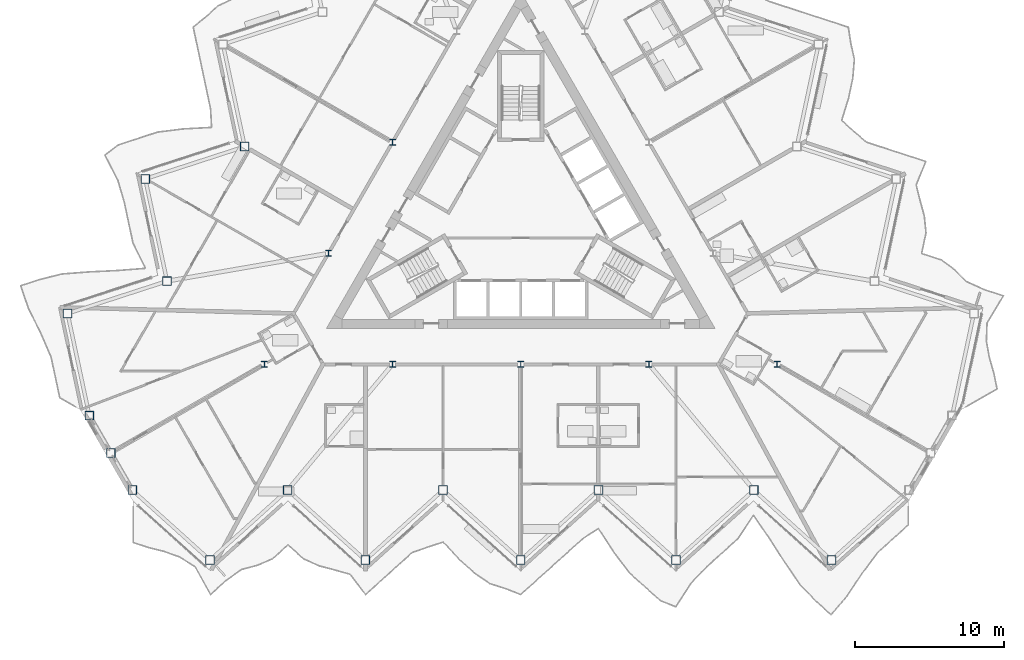
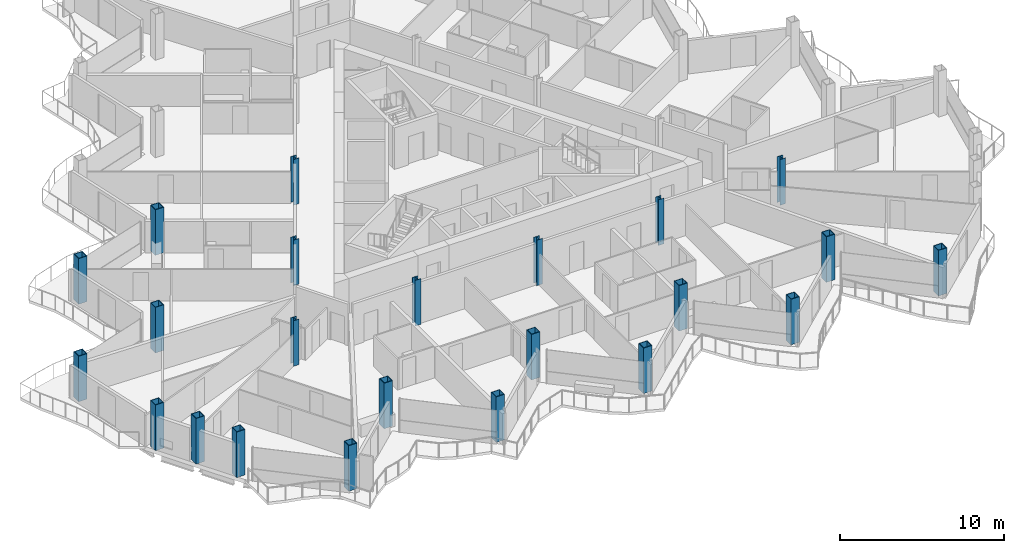
# One storey, part 1 of 28: 23 columns.
"""IFC4 building model written with IfcOpenShell, lengths in metres."""

from ifc_helpers import new_model, si_unit, direction, frame, origin, origin_2d, place, context, subcontext, project, spatial, hollow_rectangle, i_section, extrude, material, material_profile, profile_set, type_object, element, save


model = new_model("IFC4")

# Units and contexts
model_context = context("Model", 3, precision=1e-05, world=origin(), true_north=direction((0.0, 1.0)))
body_context = subcontext(model_context, "Body", "Model", "MODEL_VIEW")
ifc_project = project(units=[si_unit("LENGTHUNIT", "METRE"), si_unit("AREAUNIT", "SQUARE_METRE"), si_unit("VOLUMEUNIT", "CUBIC_METRE"), si_unit("PLANEANGLEUNIT", "RADIAN"), si_unit("MASSUNIT", "GRAM", prefix="KILO")], contexts=[model_context])

# Site, building, storey
site_placement = place(None, origin())
site = spatial("IfcSite", under=ifc_project, at=site_placement, CompositionType="ELEMENT")
building_placement = place(site_placement, origin())
building = spatial("IfcBuilding", under=site, at=building_placement, Name="Cormorant Prow Tower", CompositionType="ELEMENT")
storey_placement = place(building_placement, frame((0.0, 0.0, 308.60009765625)))
storey = spatial("IfcBuildingStorey", under=building, at=storey_placement, Name="L67", CompositionType="ELEMENT", Elevation=308.60009765625)

# Columns
ifc_material_1 = material(Name="Structural steel ASTM A572 Gr 50", Category="steel")
ifc_material_profile_1 = material_profile(ifc_material_1, hollow_rectangle(XDim=0.60009765625, YDim=0.60009765625, WallThickness=0.0400390625, at=origin_2d()), Name="Box 600x600x40")
ifc_profile_set_1 = profile_set([ifc_material_profile_1], Name="Structural steel ASTM A572 Gr 50")
column_type_1 = type_object("IfcColumnType", Name="Perimeter box column 600x600x40", PredefinedType="COLUMN", material=ifc_profile_set_1)
for number, where, z_axis, x_axis, name in (
    (1, (-25.995361328125, -18.326904296875, 0.0), (0.0, 0.0, 1.0), (1.0, 0.0, 0.0), "Perimeter column C6 at S00 L67"),
    (2, (-20.79638671875, -23.008056640625, 0.0), (0.0, 0.0, 1.0), (1.0, 0.0, 0.0), "Perimeter column C6 at S01 L67"),
    (3, (-15.59716796875, -18.326904296875, 0.0), (0.0, 0.0, 1.0), (1.0, 0.0, 0.0), "Perimeter column C6 at S02 L67"),
    (4, (-10.398193359375, -23.008056640625, 0.0), (0.0, 0.0, 1.0), (1.0, 0.0, 0.0), "Perimeter column C6 at S03 L67"),
    (5, (-5.198974609375, -18.326904296875, 0.0), (0.0, 0.0, 1.0), (1.0, 0.0, 0.0), "Perimeter column C6 at S04 L67"),
    (6, (0.0, -23.008056640625, 0.0), (0.0, 0.0, 1.0), (1.0, 0.0, 0.0), "Perimeter column C6 at S05 L67"),
    (7, (5.198974609375, -18.326904296875, 0.0), (0.0, 0.0, 1.0), (1.0, 0.0, 0.0), "Perimeter column C6 at S06 L67"),
    (8, (10.398193359375, -23.008056640625, 0.0), (0.0, 0.0, 1.0), (1.0, 0.0, 0.0), "Perimeter column C6 at S07 L67"),
    (9, (15.59716796875, -18.326904296875, 0.0), (0.0, 0.0, 1.0), (1.0, 0.0, 0.0), "Perimeter column C6 at S08 L67"),
    (10, (20.79638671875, -23.008056640625, 0.0), (0.0, 0.0, 1.0), (1.0, 0.0, 0.0), "Perimeter column C6 at S09 L67"),
    (11, (-18.470947265625, 4.660888671875, 0.0), (0.0, 0.0, 1.0), (1.0, 0.0, 0.0), "Perimeter column C6 at WNW06 L67"),
    (12, (-25.124755859375, 2.4990234375, 0.0), (0.0, 0.0, 1.0), (1.0, 0.0, 0.0), "Perimeter column C6 at WNW07 L67"),
    (13, (-23.670166015625, -4.34423828125, 0.0), (0.0, 0.0, 1.0), (1.0, 0.0, 0.0), "Perimeter column C6 at WNW08 L67"),
    (14, (-30.32373046875, -6.506103515625, 0.0), (0.0, 0.0, 1.0), (1.0, 0.0, 0.0), "Perimeter column C6 at WNW09 L67"),
    (15, (-28.869140625, -13.349365234375, 0.0), (0.0, 0.0, 1.0), (1.0, 0.0, 0.0), "Perimeter column C6 at WSW00 L67"),
    (16, (-27.432373046875, -15.838134765625, 0.0), (0.0, 0.0, 1.0), (1.0, 0.0, 0.0), "Perimeter column C6 at WSW01 L67"),
):
    element("IfcColumn", number, at=place(storey_placement, frame(where, z_axis=z_axis, x_axis=x_axis)), inside=storey, type_object=column_type_1, Name=name, PredefinedType="COLUMN", context=body_context, shape_type="SweptSolid", body=[
        extrude(hollow_rectangle(XDim=0.60009765625, YDim=0.60009765625, WallThickness=0.0400390625, at=origin_2d()), origin(), (0.0, 0.0, 1.0), 3.39990234375),
    ])
ifc_material_2 = material(Name="Structural steel ASTM A992 Gr 50", Category="steel")
ifc_material_profile_2 = material_profile(ifc_material_2, i_section(OverallWidth=0.3955078125, OverallDepth=0.380615234375, WebThickness=0.018798828125, FlangeThickness=0.0302734375, at=origin_2d()), Name="W14x159")
ifc_profile_set_2 = profile_set([ifc_material_profile_2], Name="Structural steel ASTM A992 Gr 50")
column_type_2 = type_object("IfcColumnType", Name="Ring column W14x159", PredefinedType="COLUMN", material=ifc_profile_set_2)
for number, where, z_axis, x_axis, name in (
    (17, (-8.578369140625, 4.952880859375, 0.0), (0.0, 0.0, 1.0), (1.0, 0.0, 0.0), "Ring column 3 L67"),
    (18, (-12.86767578125, -2.476318359375, 0.0), (0.0, 0.0, 1.0), (1.0, 0.0, 0.0), "Ring column 4 L67"),
    (19, (-17.156982421875, -9.905517578125, 0.0), (0.0, 0.0, 1.0), (1.0, 0.0, 0.0), "Ring column 5 L67"),
    (20, (-8.578369140625, -9.905517578125, 0.0), (0.0, 0.0, 1.0), (1.0, 0.0, 0.0), "Ring column 6 L67"),
    (21, (0.0, -9.905517578125, 0.0), (0.0, 0.0, 1.0), (1.0, 0.0, 0.0), "Ring column 7 L67"),
    (22, (8.578369140625, -9.905517578125, 0.0), (0.0, 0.0, 1.0), (1.0, 0.0, 0.0), "Ring column 8 L67"),
    (23, (17.156982421875, -9.905517578125, 0.0), (0.0, 0.0, 1.0), (1.0, 0.0, 0.0), "Ring column 9 L67"),
):
    element("IfcColumn", number, at=place(storey_placement, frame(where, z_axis=z_axis, x_axis=x_axis)), inside=storey, type_object=column_type_2, Name=name, PredefinedType="COLUMN", context=body_context, shape_type="SweptSolid", body=[
        extrude(i_section(OverallWidth=0.3955078125, OverallDepth=0.380615234375, WebThickness=0.018798828125, FlangeThickness=0.0302734375, at=origin_2d()), origin(), (0.0, 0.0, 1.0), 3.39990234375),
    ])

save(model, "model.ifc")
